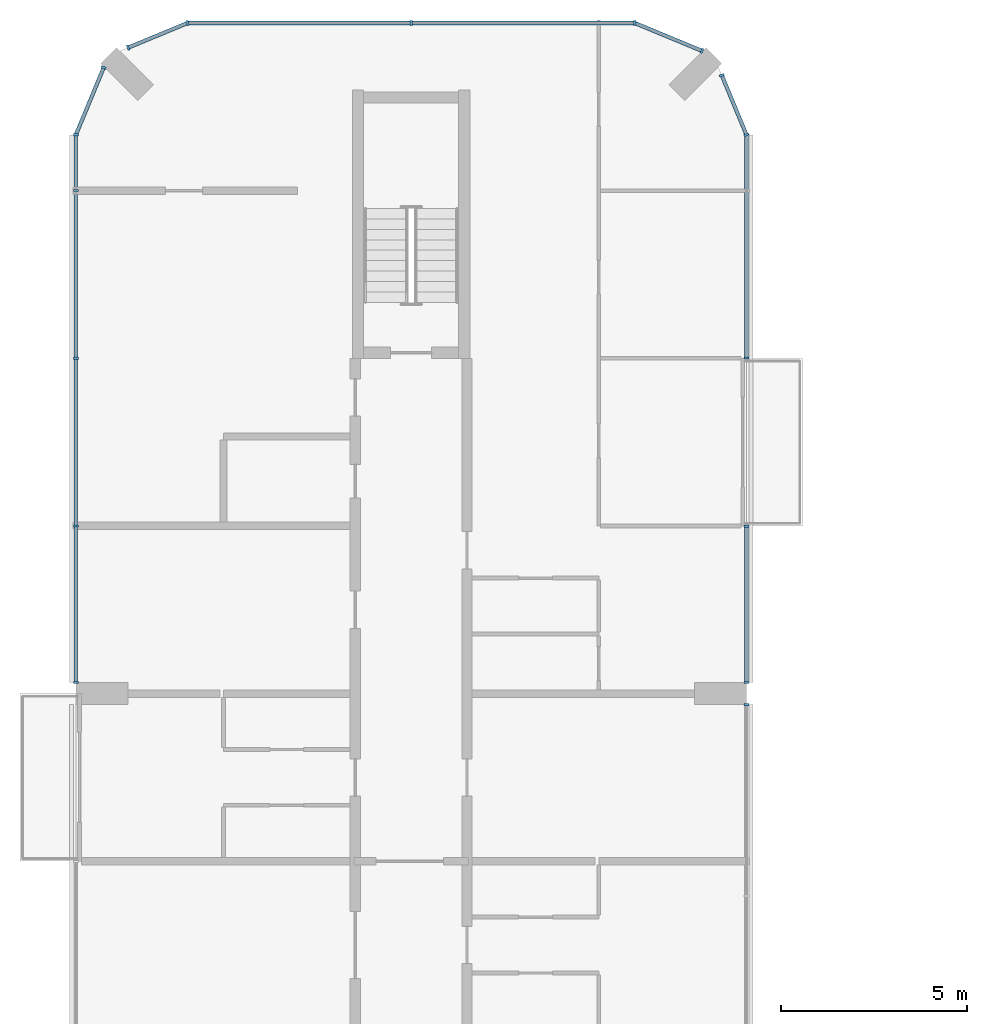
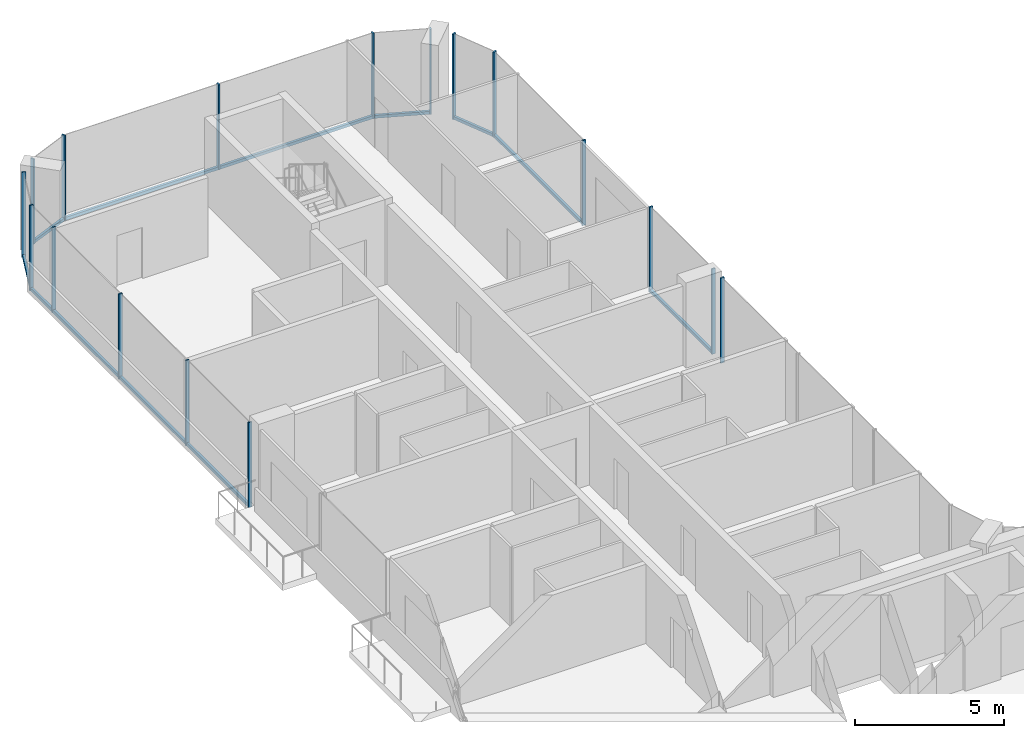
# One storey, part 7 of 16: 25 members, 9 elements without a shape of their own.
"""IFC4 building model written with IfcOpenShell, lengths in metres."""

from ifc_helpers import new_model, si_unit, direction, frame, origin, origin_2d, place, context, subcontext, project, spatial, rectangle, extrude, material, layer, layer_set, material_profile, profile_set, type_object, element, aggregate, save


model = new_model("IFC4")

# Units and contexts
model_context = context("Model", 3, precision=1e-05, world=origin(), true_north=direction((0.0, 1.0)))
body_context = subcontext(model_context, "Body", "Model", "MODEL_VIEW")
ifc_project = project(units=[si_unit("LENGTHUNIT", "METRE"), si_unit("AREAUNIT", "SQUARE_METRE"), si_unit("VOLUMEUNIT", "CUBIC_METRE"), si_unit("PLANEANGLEUNIT", "RADIAN"), si_unit("MASSUNIT", "GRAM", prefix="KILO")], contexts=[model_context])

# Site, building, storey
site_placement = place(None, origin())
site = spatial("IfcSite", under=ifc_project, at=site_placement, CompositionType="ELEMENT")
building_placement = place(site_placement, origin())
building = spatial("IfcBuilding", under=site, at=building_placement, Name="Plateau Cross Towers", CompositionType="ELEMENT")
storey_placement = place(building_placement, frame((0.0, 0.0, 218.89990234375)))
storey = spatial("IfcBuildingStorey", under=building, at=storey_placement, Name="L57", CompositionType="ELEMENT", Elevation=218.89990234375)

# Curtain wall, member
ifc_material_1 = material(Name="Dark low-iron glass", Category="glass")
ifc_layer = layer(ifc_material_1, 0.239990234375)
ifc_layer_set = layer_set([ifc_layer], Name="Dark low-iron glass")
curtain_wall_type = type_object("IfcCurtainWallType", Name="Curtain wall flush unitised CW-B", PredefinedType="NOTDEFINED", material=ifc_layer_set)
curtain_wall_1_placement = place(storey_placement, origin())
curtain_wall_1 = element("IfcCurtainWall", 1, at=curtain_wall_1_placement, inside=storey, type_object=curtain_wall_type, Name="ENV/A/L57/A180_203", PredefinedType="NOTDEFINED")
ifc_material_2 = material(Name="Black anodised aluminium", Category="aluminium")
ifc_material_profile_1 = material_profile(ifc_material_2, rectangle(XDim=0.06005859375, YDim=0.139892578125, at=origin_2d()), Name="MULLION 60x140")
ifc_profile_set_1 = profile_set([ifc_material_profile_1], Name="Black anodised aluminium")
member_type_1 = type_object("IfcMemberType", Name="Mullion 60x140 flush unitised", PredefinedType="MULLION", material=ifc_profile_set_1)
member_1_placement = place(storey_placement, frame((18.0, 35.699951171875, -0.25), z_axis=(0.0, 0.0, 1.0), x_axis=(0.0, 1.0, 0.0)))
member_1 = element("IfcMember", 2, at=member_1_placement, type_object=member_type_1, Name="CW-B mullion 4", PredefinedType="MULLION", context=body_context, shape_type="SweptSolid", body=[
    extrude(rectangle(XDim=0.06005859375, YDim=0.139892578125, at=origin_2d()), origin(), (0.0, 0.0, 1.0), 3.5),
])
aggregate(curtain_wall_1, [member_1])

# Curtain wall, members
curtain_wall_2_placement = place(storey_placement, origin())
curtain_wall_2 = element("IfcCurtainWall", 3, at=curtain_wall_2_placement, inside=storey, type_object=curtain_wall_type, Name="ENV/A/L57/A180_363", PredefinedType="NOTDEFINED")
member_2_placement = place(storey_placement, frame((18.0, 36.300048828125, -0.25), z_axis=(0.0, 0.0, 1.0), x_axis=(0.0, 1.0, 0.0)))
member_2 = element("IfcMember", 4, at=member_2_placement, type_object=member_type_1, Name="CW-B mullion 1", PredefinedType="MULLION", context=body_context, shape_type="SweptSolid", body=[
    extrude(rectangle(XDim=0.06005859375, YDim=0.139892578125, at=origin_2d()), origin(), (0.0, 0.0, 1.0), 3.5),
])
member_3_placement = place(storey_placement, frame((18.0, 40.489990234375, -0.25), z_axis=(0.0, 0.0, 1.0), x_axis=(0.0, 1.0, 0.0)))
member_3 = element("IfcMember", 5, at=member_3_placement, type_object=member_type_1, Name="CW-B mullion 2", PredefinedType="MULLION", context=body_context, shape_type="SweptSolid", body=[
    extrude(rectangle(XDim=0.06005859375, YDim=0.139892578125, at=origin_2d()), origin(), (0.0, 0.0, 1.0), 3.5),
])

# Curtain wall, member
curtain_wall_3_placement = place(storey_placement, origin())
curtain_wall_3 = element("IfcCurtainWall", 6, at=curtain_wall_3_placement, inside=storey, type_object=curtain_wall_type, Name="ENV/A/L57/A180_450", PredefinedType="NOTDEFINED")
member_4_placement = place(storey_placement, frame((18.0, 45.010009765625, -0.25), z_axis=(0.0, 0.0, 1.0), x_axis=(0.0, 1.0, 0.0)))
member_4 = element("IfcMember", 7, at=member_4_placement, type_object=member_type_1, Name="CW-B mullion 1", PredefinedType="MULLION", context=body_context, shape_type="SweptSolid", body=[
    extrude(rectangle(XDim=0.06005859375, YDim=0.139892578125, at=origin_2d()), origin(), (0.0, 0.0, 1.0), 3.5),
])

# Curtain wall, members
curtain_wall_4_placement = place(storey_placement, origin())
curtain_wall_4 = element("IfcCurtainWall", 8, at=curtain_wall_4_placement, inside=storey, type_object=curtain_wall_type, Name="ENV/A/L57/A180_510", PredefinedType="NOTDEFINED")
member_5_placement = place(storey_placement, frame((18.0, 51.0, -0.25), z_axis=(0.0, 0.0, 1.0), x_axis=(-0.382683612978, 0.923879457699, 0.0)))
member_5 = element("IfcMember", 9, at=member_5_placement, type_object=member_type_1, Name="CW-B mullion 1", PredefinedType="MULLION", context=body_context, shape_type="SweptSolid", body=[
    extrude(rectangle(XDim=0.06005859375, YDim=0.139892578125, at=origin_2d()), origin(), (0.0, 0.0, 1.0), 3.5),
])
member_6_placement = place(storey_placement, frame((17.338623046875, 52.5966796875, -0.25), z_axis=(0.0, 0.0, 1.0), x_axis=(-0.382683612978, 0.923879457699, 0.0)))
member_6 = element("IfcMember", 10, at=member_6_placement, type_object=member_type_1, Name="CW-B mullion 2", PredefinedType="MULLION", context=body_context, shape_type="SweptSolid", body=[
    extrude(rectangle(XDim=0.06005859375, YDim=0.139892578125, at=origin_2d()), origin(), (0.0, 0.0, 1.0), 3.5),
])

# Curtain wall, member
curtain_wall_5_placement = place(storey_placement, origin())
curtain_wall_5 = element("IfcCurtainWall", 11, at=curtain_wall_5_placement, inside=storey, type_object=curtain_wall_type, Name="ENV/A/L57/A168_533", PredefinedType="NOTDEFINED")
member_7_placement = place(storey_placement, frame((16.805908203125, 53.251953125, -0.25), z_axis=(0.0, 0.0, 1.0), x_axis=(-0.923879457699, 0.382683612978, 0.0)))
member_7 = element("IfcMember", 12, at=member_7_placement, type_object=member_type_1, Name="CW-B mullion 1", PredefinedType="MULLION", context=body_context, shape_type="SweptSolid", body=[
    extrude(rectangle(XDim=0.06005859375, YDim=0.139892578125, at=origin_2d()), origin(), (0.0, 0.0, 1.0), 3.5),
])

# Curtain wall, members
curtain_wall_6_placement = place(storey_placement, origin())
curtain_wall_6 = element("IfcCurtainWall", 13, at=curtain_wall_6_placement, inside=storey, type_object=curtain_wall_type, Name="ENV/A/L57/A150_540", PredefinedType="NOTDEFINED")
member_8_placement = place(storey_placement, frame((15.0, 54.0, -0.25), z_axis=(0.0, 0.0, 1.0), x_axis=(-1.0, 0.0, 0.0)))
member_8 = element("IfcMember", 14, at=member_8_placement, type_object=member_type_1, Name="CW-B mullion 1", PredefinedType="MULLION", context=body_context, shape_type="SweptSolid", body=[
    extrude(rectangle(XDim=0.06005859375, YDim=0.139892578125, at=origin_2d()), origin(), (0.0, 0.0, 1.0), 3.5),
])
member_9_placement = place(storey_placement, frame((9.0, 54.0, -0.25), z_axis=(0.0, 0.0, 1.0), x_axis=(-1.0, 0.0, 0.0)))
member_9 = element("IfcMember", 15, at=member_9_placement, type_object=member_type_1, Name="CW-B mullion 2", PredefinedType="MULLION", context=body_context, shape_type="SweptSolid", body=[
    extrude(rectangle(XDim=0.06005859375, YDim=0.139892578125, at=origin_2d()), origin(), (0.0, 0.0, 1.0), 3.5),
])

curtain_wall_7_placement = place(storey_placement, origin())
curtain_wall_7 = element("IfcCurtainWall", 16, at=curtain_wall_7_placement, inside=storey, type_object=curtain_wall_type, Name="ENV/A/L57/A30_540", PredefinedType="NOTDEFINED")
member_10_placement = place(storey_placement, frame((3.0, 54.0, -0.25), z_axis=(0.0, 0.0, 1.0), x_axis=(-0.923879457699, -0.382683612978, 0.0)))
member_10 = element("IfcMember", 17, at=member_10_placement, type_object=member_type_1, Name="CW-B mullion 1", PredefinedType="MULLION", context=body_context, shape_type="SweptSolid", body=[
    extrude(rectangle(XDim=0.06005859375, YDim=0.139892578125, at=origin_2d()), origin(), (0.0, 0.0, 1.0), 3.5),
])
member_11_placement = place(storey_placement, frame((1.4033203125, 53.338623046875, -0.25), z_axis=(0.0, 0.0, 1.0), x_axis=(-0.923879457699, -0.382683612978, 0.0)))
member_11 = element("IfcMember", 18, at=member_11_placement, type_object=member_type_1, Name="CW-B mullion 2", PredefinedType="MULLION", context=body_context, shape_type="SweptSolid", body=[
    extrude(rectangle(XDim=0.06005859375, YDim=0.139892578125, at=origin_2d()), origin(), (0.0, 0.0, 1.0), 3.5),
])

# Curtain wall, member
curtain_wall_8_placement = place(storey_placement, origin())
curtain_wall_8 = element("IfcCurtainWall", 19, at=curtain_wall_8_placement, inside=storey, type_object=curtain_wall_type, Name="ENV/A/L57/A7_528", PredefinedType="NOTDEFINED")
member_12_placement = place(storey_placement, frame((0.748046875, 52.805908203125, -0.25), z_axis=(0.0, 0.0, 1.0), x_axis=(-0.382683612978, -0.923879457699, 0.0)))
member_12 = element("IfcMember", 20, at=member_12_placement, type_object=member_type_1, Name="CW-B mullion 1", PredefinedType="MULLION", context=body_context, shape_type="SweptSolid", body=[
    extrude(rectangle(XDim=0.06005859375, YDim=0.139892578125, at=origin_2d()), origin(), (0.0, 0.0, 1.0), 3.5),
])

# Curtain wall, members
curtain_wall_9_placement = place(storey_placement, origin())
curtain_wall_9 = element("IfcCurtainWall", 21, at=curtain_wall_9_placement, inside=storey, type_object=curtain_wall_type, Name="ENV/A/L57/A0_510", PredefinedType="NOTDEFINED")
member_13_placement = place(storey_placement, frame((0.0, 51.0, -0.25), z_axis=(0.0, 0.0, 1.0), x_axis=(0.0, -1.0, 0.0)))
member_13 = element("IfcMember", 22, at=member_13_placement, type_object=member_type_1, Name="CW-B mullion 1", PredefinedType="MULLION", context=body_context, shape_type="SweptSolid", body=[
    extrude(rectangle(XDim=0.06005859375, YDim=0.139892578125, at=origin_2d()), origin(), (0.0, 0.0, 1.0), 3.5),
])
member_14_placement = place(storey_placement, frame((0.0, 49.5, -0.25), z_axis=(0.0, 0.0, 1.0), x_axis=(0.0, -1.0, 0.0)))
member_14 = element("IfcMember", 23, at=member_14_placement, type_object=member_type_1, Name="CW-B mullion 2", PredefinedType="MULLION", context=body_context, shape_type="SweptSolid", body=[
    extrude(rectangle(XDim=0.06005859375, YDim=0.139892578125, at=origin_2d()), origin(), (0.0, 0.0, 1.0), 3.5),
])
member_15_placement = place(storey_placement, frame((0.0, 45.0, -0.25), z_axis=(0.0, 0.0, 1.0), x_axis=(0.0, -1.0, 0.0)))
member_15 = element("IfcMember", 24, at=member_15_placement, type_object=member_type_1, Name="CW-B mullion 3", PredefinedType="MULLION", context=body_context, shape_type="SweptSolid", body=[
    extrude(rectangle(XDim=0.06005859375, YDim=0.139892578125, at=origin_2d()), origin(), (0.0, 0.0, 1.0), 3.5),
])
member_16_placement = place(storey_placement, frame((0.0, 40.5, -0.25), z_axis=(0.0, 0.0, 1.0), x_axis=(0.0, -1.0, 0.0)))
member_16 = element("IfcMember", 25, at=member_16_placement, type_object=member_type_1, Name="CW-B mullion 4", PredefinedType="MULLION", context=body_context, shape_type="SweptSolid", body=[
    extrude(rectangle(XDim=0.06005859375, YDim=0.139892578125, at=origin_2d()), origin(), (0.0, 0.0, 1.0), 3.5),
])
member_17_placement = place(storey_placement, frame((0.0, 36.300048828125, -0.25), z_axis=(0.0, 0.0, 1.0), x_axis=(0.0, -1.0, 0.0)))
member_17 = element("IfcMember", 26, at=member_17_placement, type_object=member_type_1, Name="CW-B mullion 5", PredefinedType="MULLION", context=body_context, shape_type="SweptSolid", body=[
    extrude(rectangle(XDim=0.06005859375, YDim=0.139892578125, at=origin_2d()), origin(), (0.0, 0.0, 1.0), 3.5),
])

# Member
ifc_material_profile_2 = material_profile(ifc_material_2, rectangle(XDim=0.10009765625, YDim=0.1201171875, at=origin_2d()), Name="TRANSOM 100x120")
ifc_profile_set_2 = profile_set([ifc_material_profile_2], Name="Black anodised aluminium")
member_type_2 = type_object("IfcMemberType", Name="Transom 100x120 flush unitised", PredefinedType="USERDEFINED", material=ifc_profile_set_2)
member_18_placement = place(storey_placement, frame((18.0, 36.300048828125, -0.18994140625), z_axis=(0.0, 1.0, 0.0), x_axis=(-1.0, 0.0, 0.0)))
member_18 = element("IfcMember", 27, at=member_18_placement, type_object=member_type_2, Name="CW-B transom", ObjectType="TRANSOM", PredefinedType="USERDEFINED", context=body_context, shape_type="SweptSolid", body=[
    extrude(rectangle(XDim=0.10009765625, YDim=0.1201171875, at=origin_2d()), origin(), (0.0, 0.0, 1.0), 4.18994140625),
])

aggregate(curtain_wall_2, [member_2, member_3, member_18])

member_19_placement = place(storey_placement, frame((18.0, 45.010009765625, -0.18994140625), z_axis=(0.0, 1.0, 0.0), x_axis=(-1.0, 0.0, 0.0)))
member_19 = element("IfcMember", 28, at=member_19_placement, type_object=member_type_2, Name="CW-B transom", ObjectType="TRANSOM", PredefinedType="USERDEFINED", context=body_context, shape_type="SweptSolid", body=[
    extrude(rectangle(XDim=0.10009765625, YDim=0.1201171875, at=origin_2d()), origin(), (0.0, 0.0, 1.0), 5.989990234375),
])

aggregate(curtain_wall_3, [member_4, member_19])

member_20_placement = place(storey_placement, frame((18.0, 51.0, -0.18994140625), z_axis=(-0.382688653628, 0.923877369776, 0.0), x_axis=(-0.923877369776, -0.382688653628, 0.0)))
member_20 = element("IfcMember", 29, at=member_20_placement, type_object=member_type_2, Name="CW-B transom", ObjectType="TRANSOM", PredefinedType="USERDEFINED", context=body_context, shape_type="SweptSolid", body=[
    extrude(rectangle(XDim=0.10009765625, YDim=0.1201171875, at=origin_2d()), origin(), (0.0, 0.0, 1.0), 1.728271484375),
])

aggregate(curtain_wall_4, [member_5, member_6, member_20])

member_21_placement = place(storey_placement, frame((16.805908203125, 53.251953125, -0.18994140625), z_axis=(-0.92387678234, 0.382690071798, 0.0), x_axis=(-0.382690071798, -0.92387678234, 0.0)))
member_21 = element("IfcMember", 30, at=member_21_placement, type_object=member_type_2, Name="CW-B transom", ObjectType="TRANSOM", PredefinedType="USERDEFINED", context=body_context, shape_type="SweptSolid", body=[
    extrude(rectangle(XDim=0.10009765625, YDim=0.1201171875, at=origin_2d()), origin(), (0.0, 0.0, 1.0), 1.95458984375),
])

aggregate(curtain_wall_5, [member_7, member_21])

member_22_placement = place(storey_placement, frame((15.0, 54.0, -0.18994140625), z_axis=(-1.0, 0.0, 0.0), x_axis=(0.0, -1.0, 0.0)))
member_22 = element("IfcMember", 31, at=member_22_placement, type_object=member_type_2, Name="CW-B transom", ObjectType="TRANSOM", PredefinedType="USERDEFINED", context=body_context, shape_type="SweptSolid", body=[
    extrude(rectangle(XDim=0.10009765625, YDim=0.1201171875, at=origin_2d()), origin(), (0.0, 0.0, 1.0), 12.0),
])

aggregate(curtain_wall_6, [member_8, member_9, member_22])

member_23_placement = place(storey_placement, frame((3.0, 54.0, -0.18994140625), z_axis=(-0.923877369776, -0.382688653628, 0.0), x_axis=(0.382688653628, -0.923877369776, 0.0)))
member_23 = element("IfcMember", 32, at=member_23_placement, type_object=member_type_2, Name="CW-B transom", ObjectType="TRANSOM", PredefinedType="USERDEFINED", context=body_context, shape_type="SweptSolid", body=[
    extrude(rectangle(XDim=0.10009765625, YDim=0.1201171875, at=origin_2d()), origin(), (0.0, 0.0, 1.0), 1.728271484375),
])

aggregate(curtain_wall_7, [member_10, member_11, member_23])

member_24_placement = place(storey_placement, frame((0.748046875, 52.805908203125, -0.18994140625), z_axis=(-0.382690071798, -0.92387678234, 0.0), x_axis=(0.92387678234, -0.382690071798, 0.0)))
member_24 = element("IfcMember", 33, at=member_24_placement, type_object=member_type_2, Name="CW-B transom", ObjectType="TRANSOM", PredefinedType="USERDEFINED", context=body_context, shape_type="SweptSolid", body=[
    extrude(rectangle(XDim=0.10009765625, YDim=0.1201171875, at=origin_2d()), origin(), (0.0, 0.0, 1.0), 1.95458984375),
])

aggregate(curtain_wall_8, [member_12, member_24])

member_25_placement = place(storey_placement, frame((0.0, 51.0, -0.18994140625), z_axis=(0.0, -1.0, 0.0), x_axis=(1.0, 0.0, 0.0)))
member_25 = element("IfcMember", 34, at=member_25_placement, type_object=member_type_2, Name="CW-B transom", ObjectType="TRANSOM", PredefinedType="USERDEFINED", context=body_context, shape_type="SweptSolid", body=[
    extrude(rectangle(XDim=0.10009765625, YDim=0.1201171875, at=origin_2d()), origin(), (0.0, 0.0, 1.0), 14.699951171875),
])

aggregate(curtain_wall_9, [member_13, member_14, member_15, member_16, member_17, member_25])

save(model, "model.ifc")
